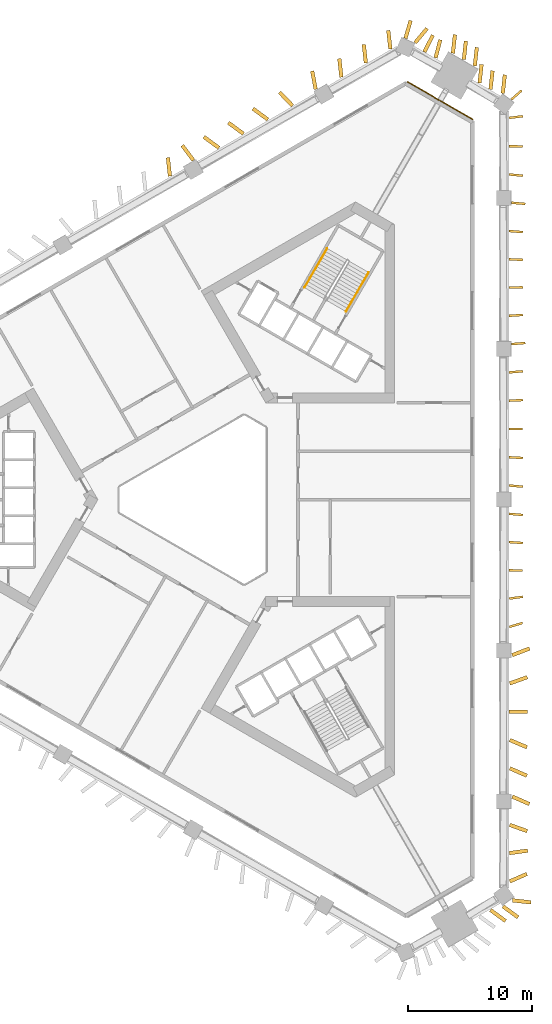
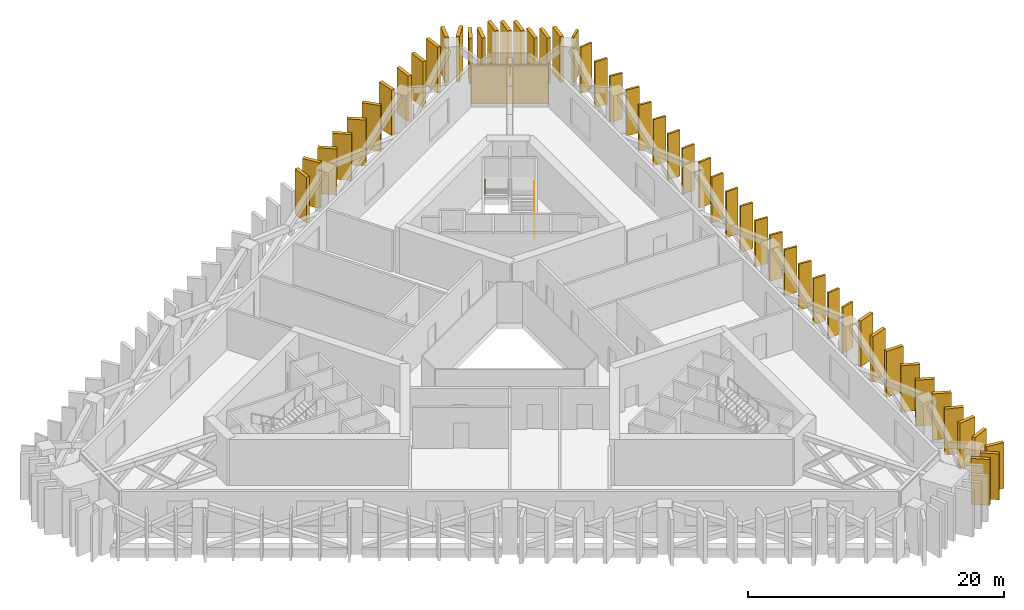
# One storey, part 9 of 9: 52 shading devices, 2 coverings, 2 railings.
"""IFC4 building model written with IfcOpenShell, lengths in metres."""

import ifcopenshell
import ifcopenshell.guid

model = None  # the IFC model being written
_history = None  # IfcOwnerHistory: only IFC2X3 demands one
_inside = {}  # id of a spatial element -> (the spatial element, [elements in it])
_under = {}  # id of a project, library or spatial element -> (it, [spatial elements below it])
_declared = {}  # id of a project -> (the project, [libraries it declares])
_typed = {}  # id of a type object -> (the type object, [elements of that type])
_made_of = {}  # id of a material, layer set ... -> (it, [elements and type objects made of it])


def new_model(schema):
    """Start an empty IFC model of exactly this schema.

    Asked for "IFC4X3", IfcOpenShell would pick the latest addendum, in which some entities
    have other attributes; the version numbers below select the first issue.
    IFC2X3 requires an IfcOwnerHistory on every rooted entity: one is made here for all.
    """
    global model, _history
    if schema == "IFC4X3":
        model = ifcopenshell.file(schema_version=(4, 3, 0, 0))
    else:
        model = ifcopenshell.file(schema=schema)
    _inside.clear()
    _under.clear()
    _declared.clear()
    _typed.clear()
    _made_of.clear()
    _history = None
    if model.schema == "IFC2X3":
        org = make("IfcOrganization", Name="unknown")
        user = make(
            "IfcPersonAndOrganization",
            ThePerson=make("IfcPerson", FamilyName="unknown"),
            TheOrganization=org,
        )
        app = make(
            "IfcApplication",
            ApplicationDeveloper=org,
            Version="unknown",
            ApplicationFullName="unknown",
            ApplicationIdentifier="unknown",
        )
        _history = make(
            "IfcOwnerHistory",
            OwningUser=user,
            OwningApplication=app,
            ChangeAction="ADDED",
            CreationDate=0,
        )
    return model


def make(cls, **values):
    """One entity of the class cls with the attributes given. An attribute that is None is left unset."""
    return model.create_entity(
        cls, **{name: value for name, value in values.items() if value is not None}
    )


def rooted(cls, **values):
    """An entity with a GlobalId (a new one), such as an element, a storey or a relation."""
    return make(cls, GlobalId=ifcopenshell.guid.new(), OwnerHistory=_history, **values)


def si_unit(unit_type, name, prefix=None):
    """IfcSIUnit, for example si_unit("LENGTHUNIT", "METRE", prefix="MILLI")."""
    return make("IfcSIUnit", UnitType=unit_type, Prefix=prefix, Name=name)


def assignment(units):
    """IfcUnitAssignment: the units of a project."""
    return None if units is None else make("IfcUnitAssignment", Units=units)


def point(xyz):
    """IfcCartesianPoint."""
    return None if xyz is None else make("IfcCartesianPoint", Coordinates=xyz)


def direction(xyz):
    """IfcDirection."""
    return None if xyz is None else make("IfcDirection", DirectionRatios=xyz)


def frame(location, z_axis=None, x_axis=None):
    """IfcAxis2Placement3D, a coordinate frame: its origin and axes. An axis left out is left unset."""
    return make(
        "IfcAxis2Placement3D",
        Location=point(location),
        Axis=direction(z_axis),
        RefDirection=direction(x_axis),
    )


def frame_2d(location, x_axis=None):
    """IfcAxis2Placement2D, a coordinate frame in the plane: its origin and x axis."""
    return make(
        "IfcAxis2Placement2D", Location=point(location), RefDirection=direction(x_axis)
    )


def origin():
    """The frame at (0, 0, 0) with its axes left unset."""
    return frame((0.0, 0.0, 0.0))


def origin_2d():
    """The frame at (0, 0) in the plane with its x axis left unset."""
    return frame_2d((0.0, 0.0))


def place(relative_to, where):
    """IfcLocalPlacement: puts the frame where relative to a parent placement (None: the world)."""
    return make(
        "IfcLocalPlacement", PlacementRelTo=relative_to, RelativePlacement=where
    )


def context(
    kind, dimensions, precision=None, world=None, true_north=None, identifier=None
):
    """IfcGeometricRepresentationContext, for example the 3D "Model" context."""
    return make(
        "IfcGeometricRepresentationContext",
        ContextIdentifier=identifier,
        ContextType=kind,
        CoordinateSpaceDimension=dimensions,
        Precision=precision,
        WorldCoordinateSystem=world,
        TrueNorth=true_north,
    )


def subcontext(parent, identifier, kind, view, scale=None):
    """IfcGeometricRepresentationSubContext, for example "Body" below "Model"."""
    return make(
        "IfcGeometricRepresentationSubContext",
        ContextIdentifier=identifier,
        ContextType=kind,
        ParentContext=parent,
        TargetScale=scale,
        TargetView=view,
    )


def project(units=None, contexts=None):
    """IfcProject with its units and contexts."""
    return rooted(
        "IfcProject",
        Name="project",
        RepresentationContexts=contexts,
        UnitsInContext=assignment(units),
    )


def spatial(cls, under=None, at=None, **own):
    """A site, building, storey or space (cls), placed at a placement, below another one or the project."""
    s = rooted(cls, ObjectPlacement=at, **own)
    if under is not None:
        _under.setdefault(under.id(), (under, []))[1].append(s)
    return s


def profile(cls, at=None, kind="AREA", **sizes):
    """A parametric profile (cls). Its sizes go by their IFC names, for example OverallWidth=200.0."""
    return make(cls, ProfileType=kind, Position=at, **sizes)


def rectangle(**sizes):
    """IfcRectangleProfileDef."""
    return profile("IfcRectangleProfileDef", **sizes)


def circle(**sizes):
    """IfcCircleProfileDef."""
    return profile("IfcCircleProfileDef", **sizes)


def extrude(swept, where, along, depth):
    """IfcExtrudedAreaSolid: the profile swept, set in the frame where, extruded along a direction by depth."""
    return make(
        "IfcExtrudedAreaSolid",
        SweptArea=swept,
        Position=where,
        ExtrudedDirection=direction(along),
        Depth=depth,
    )


def shape(context_of_items, identifier, shape_type, items):
    """IfcShapeRepresentation: the items that make up one representation, for example the "Body"."""
    return make(
        "IfcShapeRepresentation",
        ContextOfItems=context_of_items,
        RepresentationIdentifier=identifier,
        RepresentationType=shape_type,
        Items=items,
    )


def material(Name=None, Category=None):
    """IfcMaterial."""
    return make("IfcMaterial", Name=Name, Category=Category)


def layer(
    of_material, thickness, ventilated=None, Name=None, Category=None, Priority=None
):
    """IfcMaterialLayer: one layer of a wall or slab, of a material (None: an air gap)."""
    return make(
        "IfcMaterialLayer",
        Material=of_material,
        LayerThickness=thickness,
        IsVentilated=ventilated,
        Name=Name,
        Category=Category,
        Priority=Priority,
    )


def layer_set(layers, Name=None):
    """IfcMaterialLayerSet."""
    return make("IfcMaterialLayerSet", MaterialLayers=layers, LayerSetName=Name)


def made_of(thing, what):
    """Note that an element or type object is made of a material, layer set ...; save() writes the relation."""
    if what is not None:
        _made_of.setdefault(what.id(), (what, []))[1].append(thing)
    return thing


def type_object(cls, material=None, **own):
    """A type object (cls), such as IfcWallType, which elements share."""
    return made_of(rooted(cls, **own), material)


def element(
    cls,
    number,
    at=None,
    inside=None,
    cuts=None,
    type_object=None,
    material=None,
    context=None,
    identifier="Body",
    shape_type=None,
    held_by="IfcProductDefinitionShape",
    body=None,
    shapes=None,
    **own,
):
    """One element of the class cls, such as IfcWall. Its Tag is "e" and its number.

    at: its placement. inside: the storey or other place that contains it. cuts: it is an
    opening in that element (IfcRelVoidsElement). A single representation is given by context,
    identifier, shape_type and body (its items); several are given by shapes. held_by: the class
    of the entity that holds the representations. save() writes the other relations.
    """
    e = rooted(cls, Tag="e%d" % number, ObjectPlacement=at, **own)
    if body is not None:
        shapes = [shape(context, identifier, shape_type, body)]
    if shapes is not None:
        e.Representation = make(held_by, Representations=shapes)
    if inside is not None:
        _inside.setdefault(inside.id(), (inside, []))[1].append(e)
    if cuts is not None:
        rooted(
            "IfcRelVoidsElement", RelatingBuildingElement=cuts, RelatedOpeningElement=e
        )
    if type_object is not None:
        _typed.setdefault(type_object.id(), (type_object, []))[1].append(e)
    return made_of(e, material)


def aggregate(whole, parts):
    """IfcRelAggregates: a whole, such as a stair, and the parts it consists of."""
    return rooted("IfcRelAggregates", RelatingObject=whole, RelatedObjects=parts)


def save(model, path):
    """Write the relations noted so far, then the file.

    IfcRelAggregates (storeys below a building ...), IfcRelContainedInSpatialStructure (elements
    in a storey), IfcRelDefinesByType, IfcRelAssociatesMaterial and IfcRelDeclares: one each for
    every whole, place, type object, material and project.
    """
    for whole, parts in _under.values():
        aggregate(whole, parts)
    for where, things in _inside.values():
        rooted(
            "IfcRelContainedInSpatialStructure",
            RelatedElements=things,
            RelatingStructure=where,
        )
    for kind, things in _typed.values():
        rooted("IfcRelDefinesByType", RelatedObjects=things, RelatingType=kind)
    for what, things in _made_of.values():
        rooted("IfcRelAssociatesMaterial", RelatedObjects=things, RelatingMaterial=what)
    for by, libraries in _declared.values():
        rooted("IfcRelDeclares", RelatingContext=by, RelatedDefinitions=libraries)
    model.write(path)


model = new_model("IFC4")

# Units and contexts
model_context = context("Model", 3, precision=1e-05, world=origin(), true_north=direction((0.0, 1.0)))
body_context = subcontext(model_context, "Body", "Model", "MODEL_VIEW")
ifc_project = project(units=[si_unit("LENGTHUNIT", "METRE"), si_unit("AREAUNIT", "SQUARE_METRE"), si_unit("VOLUMEUNIT", "CUBIC_METRE"), si_unit("PLANEANGLEUNIT", "RADIAN"), si_unit("MASSUNIT", "GRAM", prefix="KILO")], contexts=[model_context])

# Site, building, storey
site_placement = place(None, origin())
site = spatial("IfcSite", under=ifc_project, at=site_placement, CompositionType="ELEMENT")
building_placement = place(site_placement, origin())
building = spatial("IfcBuilding", under=site, at=building_placement, Name="Jabali Bay Hotel Tower and Convention Centre", CompositionType="ELEMENT")
storey_placement = place(building_placement, frame((0.0, 0.0, 48.5)))
storey = spatial("IfcBuildingStorey", under=building, at=storey_placement, Name="L10", CompositionType="ELEMENT", Elevation=48.5)

# Shading devices
ifc_material_1 = material(Name="Precast concrete C60", Category="concrete")
ifc_layer_1 = layer(ifc_material_1, 0.179931640625)
ifc_layer_set_1 = layer_set([ifc_layer_1], Name="Precast concrete C60")
shading_device_type_1 = type_object("IfcShadingDeviceType", Name="Precast fin 4380 x 1100", PredefinedType="USERDEFINED", material=ifc_layer_set_1)
shading_device_1_placement = place(storey_placement, frame((99.102294921875, 69.76318359375, 0.010009765625), z_axis=(0.0, 0.0, 1.0), x_axis=(0.957673438575, 0.287856882927, 0.0)))
element("IfcShadingDevice", 1, at=shading_device_1_placement, inside=storey, type_object=shading_device_type_1, Name="Fin L10 009", ObjectType="FIN", PredefinedType="USERDEFINED", context=body_context, shape_type="SweptSolid", body=[
    extrude(rectangle(XDim=1.10009765625, YDim=0.179931640625, at=frame_2d((0.550048828125, 0.0))), origin(), (0.0, 0.0, 1.0), 4.3798828125),
])
shading_device_2_placement = place(storey_placement, frame((99.088623046875, 72.0380859375, 0.010009765625), z_axis=(0.0, 0.0, 1.0), x_axis=(0.990792311908, 0.135390526493, 0.0)))
element("IfcShadingDevice", 2, at=shading_device_2_placement, inside=storey, type_object=shading_device_type_1, Name="Fin L10 010", ObjectType="FIN", PredefinedType="USERDEFINED", context=body_context, shape_type="SweptSolid", body=[
    extrude(rectangle(XDim=1.099853515625, YDim=0.179931640625, at=frame_2d((0.5498046875, 0.0))), origin(), (0.0, 0.0, 1.0), 4.3798828125),
])
shading_device_3_placement = place(storey_placement, frame((99.076904296875, 74.31298828125, 0.010009765625), z_axis=(0.0, 0.0, 1.0), x_axis=(0.999983353479, -0.00576998828, 0.0)))
element("IfcShadingDevice", 3, at=shading_device_3_placement, inside=storey, type_object=shading_device_type_1, Name="Fin L10 011", ObjectType="FIN", PredefinedType="USERDEFINED", context=body_context, shape_type="SweptSolid", body=[
    extrude(rectangle(XDim=1.10009765625, YDim=0.179931640625, at=frame_2d((0.550048828125, 0.0))), origin(), (0.0, 0.0, 1.0), 4.3798828125),
])
shading_device_4_placement = place(storey_placement, frame((99.0830078125, 76.587646484375, 0.010009765625), z_axis=(0.0, 0.0, 1.0), x_axis=(0.997474448975, -0.071026217996, 0.0)))
element("IfcShadingDevice", 4, at=shading_device_4_placement, inside=storey, type_object=shading_device_type_1, Name="Fin L10 012", ObjectType="FIN", PredefinedType="USERDEFINED", context=body_context, shape_type="SweptSolid", body=[
    extrude(rectangle(XDim=1.099853515625, YDim=0.179931640625, at=frame_2d((0.5498046875, 0.0))), origin(), (0.0, 0.0, 1.0), 4.3798828125),
])
for number, where, z_axis, x_axis, name in (
    (5, (99.08447265625, 78.862548828125, 0.010009765625), (0.0, 0.0, 1.0), (0.995992645873, -0.089435168513, 0.0), "Fin L10 013"),
    (6, (99.084228515625, 81.137451171875, 0.010009765625), (0.0, 0.0, 1.0), (0.996323410279, -0.085671828106, 0.0), "Fin L10 014"),
    (7, (99.08154296875, 83.412353515625, 0.010009765625), (0.0, 0.0, 1.0), (0.998385028374, -0.056809639312, 0.0), "Fin L10 015"),
):
    element("IfcShadingDevice", number, at=place(storey_placement, frame(where, z_axis=z_axis, x_axis=x_axis)), inside=storey, type_object=shading_device_type_1, Name=name, ObjectType="FIN", PredefinedType="USERDEFINED", context=body_context, shape_type="SweptSolid", body=[
        extrude(rectangle(XDim=1.10009765625, YDim=0.179931640625, at=frame_2d((0.550048828125, 0.0))), origin(), (0.0, 0.0, 1.0), 4.3798828125),
    ])
shading_device_5_placement = place(storey_placement, frame((99.0771484375, 85.68701171875, 0.010009765625), z_axis=(0.0, 0.0, 1.0), x_axis=(0.999980685481, -0.006215196269, 0.0)))
element("IfcShadingDevice", 8, at=shading_device_5_placement, inside=storey, type_object=shading_device_type_1, Name="Fin L10 016", ObjectType="FIN", PredefinedType="USERDEFINED", context=body_context, shape_type="SweptSolid", body=[
    extrude(rectangle(XDim=1.099853515625, YDim=0.179931640625, at=frame_2d((0.5498046875, 0.0))), origin(), (0.0, 0.0, 1.0), 4.3798828125),
])
shading_device_6_placement = place(storey_placement, frame((99.08056640625, 87.9619140625, 0.010009765625), z_axis=(0.0, 0.0, 1.0), x_axis=(0.998964417576, 0.045498268297, 0.0)))
element("IfcShadingDevice", 9, at=shading_device_6_placement, inside=storey, type_object=shading_device_type_1, Name="Fin L10 017", ObjectType="FIN", PredefinedType="USERDEFINED", context=body_context, shape_type="SweptSolid", body=[
    extrude(rectangle(XDim=1.10009765625, YDim=0.179931640625, at=frame_2d((0.550048828125, 0.0))), origin(), (0.0, 0.0, 1.0), 4.3798828125),
])
shading_device_7_placement = place(storey_placement, frame((99.083984375, 90.23681640625, 0.010009765625), z_axis=(0.0, 0.0, 1.0), x_axis=(0.996585442931, 0.082567880795, 0.0)))
element("IfcShadingDevice", 10, at=shading_device_7_placement, inside=storey, type_object=shading_device_type_1, Name="Fin L10 018", ObjectType="FIN", PredefinedType="USERDEFINED", context=body_context, shape_type="SweptSolid", body=[
    extrude(rectangle(XDim=1.099853515625, YDim=0.179931640625, at=frame_2d((0.5498046875, 0.0))), origin(), (0.0, 0.0, 1.0), 4.3798828125),
])
for number, where, z_axis, x_axis, name in (
    (11, (99.28369140625, 92.511474609375, 0.010009765625), (0.0, 0.0, 1.0), (0.996530434806, 0.083229156582, 0.0), "Fin L10 019"),
    (12, (99.082763671875, 94.786376953125, 0.010009765625), (0.0, 0.0, 1.0), (0.997630328423, 0.068802091615, 0.0), "Fin L10 020"),
    (13, (99.078125, 97.061279296875, 0.010009765625), (0.0, 0.0, 1.0), (0.999838398582, 0.0179771166, 0.0), "Fin L10 021"),
    (14, (99.08056640625, 99.336181640625, 0.010009765625), (0.0, 0.0, 1.0), (0.99899446016, -0.044833788259, 0.0), "Fin L10 022"),
):
    element("IfcShadingDevice", number, at=place(storey_placement, frame(where, z_axis=z_axis, x_axis=x_axis)), inside=storey, type_object=shading_device_type_1, Name=name, ObjectType="FIN", PredefinedType="USERDEFINED", context=body_context, shape_type="SweptSolid", body=[
        extrude(rectangle(XDim=1.10009765625, YDim=0.179931640625, at=frame_2d((0.550048828125, 0.0))), origin(), (0.0, 0.0, 1.0), 4.3798828125),
    ])
for number, where, z_axis, x_axis, name in (
    (15, (99.084228515625, 101.61083984375, 0.010009765625), (0.0, 0.0, 1.0), (0.996398805237, -0.084790453019, 0.0), "Fin L10 023"),
    (16, (99.284423828125, 103.8857421875, 0.010009765625), (0.0, 0.0, 1.0), (0.996168619919, -0.087453305759, 0.0), "Fin L10 024"),
):
    element("IfcShadingDevice", number, at=place(storey_placement, frame(where, z_axis=z_axis, x_axis=x_axis)), inside=storey, type_object=shading_device_type_1, Name=name, ObjectType="FIN", PredefinedType="USERDEFINED", context=body_context, shape_type="SweptSolid", body=[
        extrude(rectangle(XDim=1.099853515625, YDim=0.179931640625, at=frame_2d((0.5498046875, 0.0))), origin(), (0.0, 0.0, 1.0), 4.3798828125),
    ])
shading_device_8_placement = place(storey_placement, frame((99.0849609375, 106.16064453125, 0.010009765625), z_axis=(0.0, 0.0, 1.0), x_axis=(0.995542228819, -0.094316862962, 0.0)))
element("IfcShadingDevice", 17, at=shading_device_8_placement, inside=storey, type_object=shading_device_type_1, Name="Fin L10 025", ObjectType="FIN", PredefinedType="USERDEFINED", context=body_context, shape_type="SweptSolid", body=[
    extrude(rectangle(XDim=1.10009765625, YDim=0.179931640625, at=frame_2d((0.550048828125, 0.0))), origin(), (0.0, 0.0, 1.0), 4.3798828125),
])
for number, where, z_axis, x_axis, name in (
    (18, (99.07861328125, 108.435302734375, 0.010009765625), (0.0, 0.0, 1.0), (0.999717929925, -0.023749959703, 0.0), "Fin L10 026"),
    (19, (99.08740234375, 110.710205078125, 0.010009765625), (0.0, 0.0, 1.0), (0.992575455506, 0.121630444905, 0.0), "Fin L10 027"),
):
    element("IfcShadingDevice", number, at=place(storey_placement, frame(where, z_axis=z_axis, x_axis=x_axis)), inside=storey, type_object=shading_device_type_1, Name=name, ObjectType="FIN", PredefinedType="USERDEFINED", context=body_context, shape_type="SweptSolid", body=[
        extrude(rectangle(XDim=1.099853515625, YDim=0.179931640625, at=frame_2d((0.5498046875, 0.0))), origin(), (0.0, 0.0, 1.0), 4.3798828125),
    ])
shading_device_9_placement = place(storey_placement, frame((99.259765625, 112.184326171875, 0.010009765625), z_axis=(0.0, 0.0, 1.0), x_axis=(0.749267615874, 0.66226734768, 0.0)))
element("IfcShadingDevice", 20, at=shading_device_9_placement, inside=storey, type_object=shading_device_type_1, Name="Fin L10 112", ObjectType="FIN", PredefinedType="USERDEFINED", context=body_context, shape_type="SweptSolid", body=[
    extrude(rectangle(XDim=1.10009765625, YDim=0.179931640625, at=frame_2d((0.550048828125, 0.0))), origin(), (0.0, 0.0, 1.0), 4.3798828125),
])
ifc_layer_2 = layer(ifc_material_1, 0.300048828125)
ifc_layer_set_2 = layer_set([ifc_layer_2], Name="Precast concrete C60")
shading_device_type_2 = type_object("IfcShadingDeviceType", Name="Precast fin 4380 x 1500", PredefinedType="USERDEFINED", material=ifc_layer_set_2)
for number, where, z_axis, x_axis, name in (
    (21, (99.13671875, 49.289794921875, 0.010009765625), (0.0, 0.0, 1.0), (0.915760895771, 0.401723763022, 0.0), "Fin L10 000"),
    (22, (99.096923828125, 51.564697265625, 0.010009765625), (0.0, 0.0, 1.0), (0.990656039561, 0.136384058017, 0.0), "Fin L10 001"),
    (23, (99.127197265625, 53.83935546875, 0.010009765625), (0.0, 0.0, 1.0), (0.94119201666, -0.337872147084, 0.0), "Fin L10 002"),
    (24, (99.336669921875, 56.1142578125, 0.010009765625), (0.0, 0.0, 1.0), (0.915787158528, -0.401663889683, 0.0), "Fin L10 003"),
    (25, (99.13671875, 58.38916015625, 0.010009765625), (0.0, 0.0, 1.0), (0.915847017542, -0.401527384446, 0.0), "Fin L10 004"),
    (26, (99.134765625, 60.663818359375, 0.010009765625), (0.0, 0.0, 1.0), (0.921294921455, -0.388864587872, 0.0), "Fin L10 005"),
    (27, (99.077392578125, 62.938720703125, 0.010009765625), (0.0, 0.0, 1.0), (0.999982834304, -0.00585927442, 0.0), "Fin L10 006"),
    (28, (99.126953125, 65.213623046875, 0.010009765625), (0.0, 0.0, 1.0), (0.941660878407, 0.336563203689, 0.0), "Fin L10 007"),
    (29, (99.330078125, 67.488525390625, 0.010009765625), (0.0, 0.0, 1.0), (0.93338754644, 0.358870015676, 0.0), "Fin L10 008"),
    (30, (98.572021484375, 112.6845703125, 0.010009765625), (0.0, 0.0, 1.0), (0.110020665906, 0.993929299837, 0.0), "Fin L10 028"),
):
    element("IfcShadingDevice", number, at=place(storey_placement, frame(where, z_axis=z_axis, x_axis=x_axis)), inside=storey, type_object=shading_device_type_2, Name=name, ObjectType="FIN", PredefinedType="USERDEFINED", context=body_context, shape_type="SweptSolid", body=[
        extrude(rectangle(XDim=1.5, YDim=0.300048828125, at=frame_2d((0.75, 0.0))), origin(), (0.0, 0.0, 1.0), 4.3798828125),
    ])
shading_device_10_placement = place(storey_placement, frame((97.584228515625, 113.009765625, 0.010009765625), z_axis=(0.0, 0.0, 1.0), x_axis=(0.1100384662, 0.993927329314, 0.0)))
element("IfcShadingDevice", 31, at=shading_device_10_placement, inside=storey, type_object=shading_device_type_2, Name="Fin L10 029", ObjectType="FIN", PredefinedType="USERDEFINED", context=body_context, shape_type="SweptSolid", body=[
    extrude(rectangle(XDim=1.499755859375, YDim=0.300048828125, at=frame_2d((0.75, 0.0))), origin(), (0.0, 0.0, 1.0), 4.3798828125),
])
for number, where, z_axis, x_axis, name in (
    (32, (96.702880859375, 113.5185546875, 0.010009765625), (0.0, 0.0, 1.0), (0.10985987917, 0.993947084582, 0.0), "Fin L10 030"),
    (33, (96.32080078125, 114.892822265625, 0.010009765625), (0.0, 0.0, 1.0), (0.10985987917, 0.993947084582, 0.0), "Fin L10 031"),
    (34, (95.439208984375, 115.40185546875, 0.010009765625), (0.0, 0.0, 1.0), (0.110020665906, 0.993929299837, 0.0), "Fin L10 032"),
):
    element("IfcShadingDevice", number, at=place(storey_placement, frame(where, z_axis=z_axis, x_axis=x_axis)), inside=storey, type_object=shading_device_type_2, Name=name, ObjectType="FIN", PredefinedType="USERDEFINED", context=body_context, shape_type="SweptSolid", body=[
        extrude(rectangle(XDim=1.5, YDim=0.300048828125, at=frame_2d((0.75, 0.0))), origin(), (0.0, 0.0, 1.0), 4.3798828125),
    ])
shading_device_11_placement = place(storey_placement, frame((94.5576171875, 115.910888671875, 0.010009765625), z_axis=(0.0, 0.0, 1.0), x_axis=(0.1100384662, 0.993927329314, 0.0)))
element("IfcShadingDevice", 35, at=shading_device_11_placement, inside=storey, type_object=shading_device_type_2, Name="Fin L10 033", ObjectType="FIN", PredefinedType="USERDEFINED", context=body_context, shape_type="SweptSolid", body=[
    extrude(rectangle(XDim=1.499755859375, YDim=0.300048828125, at=frame_2d((0.75, 0.0))), origin(), (0.0, 0.0, 1.0), 4.3798828125),
])
for number, where, z_axis, x_axis, name in (
    (36, (93.166259765625, 115.53662109375, 0.010009765625), (0.0, 0.0, 1.0), (0.252594153095, 0.967572319686, 0.0), "Fin L10 034"),
    (37, (92.26904296875, 116.018310546875, 0.010009765625), (0.0, 0.0, 1.0), (0.452479322372, 0.891774894705, 0.0), "Fin L10 035"),
    (38, (91.517333984375, 116.752197265625, 0.010009765625), (0.0, 0.0, 1.0), (0.641224327915, 0.767353478711, 0.0), "Fin L10 036"),
):
    element("IfcShadingDevice", number, at=place(storey_placement, frame(where, z_axis=z_axis, x_axis=x_axis)), inside=storey, type_object=shading_device_type_2, Name=name, ObjectType="FIN", PredefinedType="USERDEFINED", context=body_context, shape_type="SweptSolid", body=[
        extrude(rectangle(XDim=1.5, YDim=0.300048828125, at=frame_2d((0.75, 0.0))), origin(), (0.0, 0.0, 1.0), 4.3798828125),
    ])
shading_device_12_placement = place(storey_placement, frame((89.527587890625, 116.258056640625, 0.010009765625), z_axis=(0.0, 0.0, 1.0), x_axis=(-0.111664169735, 0.993746000343, 0.0)))
element("IfcShadingDevice", 39, at=shading_device_12_placement, inside=storey, type_object=shading_device_type_2, Name="Fin L10 037", ObjectType="FIN", PredefinedType="USERDEFINED", context=body_context, shape_type="SweptSolid", body=[
    extrude(rectangle(XDim=1.499755859375, YDim=0.300048828125, at=frame_2d((0.75, 0.0))), origin(), (0.0, 0.0, 1.0), 4.3798828125),
])
shading_device_13_placement = place(storey_placement, frame((87.557373046875, 115.12060546875, 0.010009765625), z_axis=(0.0, 0.0, 1.0), x_axis=(-0.110342213455, 0.993893654236, 0.0)))
element("IfcShadingDevice", 40, at=shading_device_13_placement, inside=storey, type_object=shading_device_type_2, Name="Fin L10 038", ObjectType="FIN", PredefinedType="USERDEFINED", context=body_context, shape_type="SweptSolid", body=[
    extrude(rectangle(XDim=1.500244140625, YDim=0.300048828125, at=frame_2d((0.75, 0.0))), origin(), (0.0, 0.0, 1.0), 4.3798828125),
])
shading_device_14_placement = place(storey_placement, frame((85.58740234375, 113.9833984375, 0.010009765625), z_axis=(0.0, 0.0, 1.0), x_axis=(-0.1100384662, 0.993927329314, 0.0)))
element("IfcShadingDevice", 41, at=shading_device_14_placement, inside=storey, type_object=shading_device_type_2, Name="Fin L10 039", ObjectType="FIN", PredefinedType="USERDEFINED", context=body_context, shape_type="SweptSolid", body=[
    extrude(rectangle(XDim=1.499755859375, YDim=0.300048828125, at=frame_2d((0.75, 0.0))), origin(), (0.0, 0.0, 1.0), 4.3798828125),
])
shading_device_15_placement = place(storey_placement, frame((83.52294921875, 113.00927734375, 0.010009765625), z_axis=(0.0, 0.0, 1.0), x_axis=(-0.189444972496, 0.981891339404, 0.0)))
element("IfcShadingDevice", 42, at=shading_device_15_placement, inside=storey, type_object=shading_device_type_2, Name="Fin L10 040", ObjectType="FIN", PredefinedType="USERDEFINED", context=body_context, shape_type="SweptSolid", body=[
    extrude(rectangle(XDim=1.5, YDim=0.300048828125, at=frame_2d((0.75, 0.0))), origin(), (0.0, 0.0, 1.0), 4.3798828125),
])
shading_device_16_placement = place(storey_placement, frame((81.6591796875, 111.687744140625, 0.010009765625), z_axis=(0.0, 0.0, 1.0), x_axis=(-0.695375342036, 0.718646737756, 0.0)))
element("IfcShadingDevice", 43, at=shading_device_16_placement, inside=storey, type_object=shading_device_type_2, Name="Fin L10 041", ObjectType="FIN", PredefinedType="USERDEFINED", context=body_context, shape_type="SweptSolid", body=[
    extrude(rectangle(XDim=1.500244140625, YDim=0.300048828125, at=frame_2d((0.75, 0.0))), origin(), (0.0, 0.0, 1.0), 4.3798828125),
])
for number, where, z_axis, x_axis, name in (
    (44, (79.67724609375, 110.571044921875, 0.010009765625), (0.0, 0.0, 1.0), (-0.805840602837, 0.592132521333, 0.0), "Fin L10 042"),
    (45, (77.70703125, 109.43359375, 0.010009765625), (0.0, 0.0, 1.0), (-0.805762938582, 0.592238201071, 0.0), "Fin L10 043"),
    (46, (75.737060546875, 108.296142578125, 0.010009765625), (0.0, 0.0, 1.0), (-0.805762938582, 0.592238201071, 0.0), "Fin L10 044"),
    (47, (73.68798828125, 107.29541015625, 0.010009765625), (0.0, 0.0, 1.0), (-0.601379268455, 0.798963688457, 0.0), "Fin L10 045"),
):
    element("IfcShadingDevice", number, at=place(storey_placement, frame(where, z_axis=z_axis, x_axis=x_axis)), inside=storey, type_object=shading_device_type_2, Name=name, ObjectType="FIN", PredefinedType="USERDEFINED", context=body_context, shape_type="SweptSolid", body=[
        extrude(rectangle(XDim=1.5, YDim=0.300048828125, at=frame_2d((0.75, 0.0))), origin(), (0.0, 0.0, 1.0), 4.3798828125),
    ])
shading_device_17_placement = place(storey_placement, frame((71.796875, 106.021484375, 0.010009765625), z_axis=(0.0, 0.0, 1.0), x_axis=(-0.109877654086, 0.993945119779, 0.0)))
element("IfcShadingDevice", 48, at=shading_device_17_placement, inside=storey, type_object=shading_device_type_2, Name="Fin L10 046", ObjectType="FIN", PredefinedType="USERDEFINED", context=body_context, shape_type="SweptSolid", body=[
    extrude(rectangle(XDim=1.499755859375, YDim=0.300048828125, at=frame_2d((0.75, 0.0))), origin(), (0.0, 0.0, 1.0), 4.3798828125),
])
for number, where, z_axis, x_axis, name in (
    (49, (97.584228515625, 46.990234375, 0.010009765625), (0.0, 0.0, 1.0), (0.805840602837, -0.592132521333, 0.0), "Fin L10 109"),
    (50, (98.58935546875, 47.285400390625, 0.010009765625), (0.0, 0.0, 1.0), (0.805840602837, -0.592132521333, 0.0), "Fin L10 110"),
    (51, (99.345703125, 47.765869140625, 0.010009765625), (0.0, 0.0, 1.0), (0.993947084582, -0.10985987917, 0.0), "Fin L10 111"),
    (52, (90.74267578125, 117.10205078125, 0.010009765625), (0.0, 0.0, 1.0), (0.277986941605, 0.960584853252, 0.0), "Fin L10 113"),
):
    element("IfcShadingDevice", number, at=place(storey_placement, frame(where, z_axis=z_axis, x_axis=x_axis)), inside=storey, type_object=shading_device_type_2, Name=name, ObjectType="FIN", PredefinedType="USERDEFINED", context=body_context, shape_type="SweptSolid", body=[
        extrude(rectangle(XDim=1.5, YDim=0.300048828125, at=frame_2d((0.75, 0.0))), origin(), (0.0, 0.0, 1.0), 4.3798828125),
    ])

# Coverings
ifc_material_2 = material(Name="Precast concrete C40/50", Category="concrete")
ifc_layer_3 = layer(ifc_material_2, 0.080078125)
ifc_layer_set_3 = layer_set([ifc_layer_3], Name="Precast concrete C40/50")
covering_type = type_object("IfcCoveringType", Name="Relief panel 3000 x 3700", PredefinedType="CLADDING", material=ifc_layer_set_3)
for number, where, z_axis, x_axis, name in (
    (53, (92.19921875, 112.8623046875, 0.10009765625), (0.0, 0.0, 1.0), (0.86602540546, -0.499999997098, 0.0), "Relief panel L10"),
    (54, (94.85986328125, 111.326171875, 0.10009765625), (0.0, 0.0, 1.0), (0.86602540546, -0.499999997098, 0.0), "Relief panel L10"),
):
    element("IfcCovering", number, at=place(storey_placement, frame(where, z_axis=z_axis, x_axis=x_axis)), inside=storey, type_object=covering_type, Name=name, PredefinedType="CLADDING", context=body_context, shape_type="SweptSolid", body=[
        extrude(rectangle(XDim=3.0, YDim=0.080078125, at=origin_2d()), origin(), (0.0, 0.0, 1.0), 3.699951171875),
    ])

# Railings
ifc_material_3 = material(Name="Steel Q355B", Category="steel")
railing_type = type_object("IfcRailingType", Name="Stair handrail 900", PredefinedType="HANDRAIL", material=ifc_material_3)
railing_1_placement = place(storey_placement, frame((85.95703125, 95.128173828125, 0.1572265625)))
element("IfcRailing", 55, at=railing_1_placement, inside=storey, type_object=railing_type, Name="L10 ST2 stair handrail 1", PredefinedType="HANDRAIL", context=body_context, shape_type="SweptSolid", body=[
    extrude(circle(Radius=0.02392578125, at=origin_2d()), frame((0.0, 0.0, 0.8759765625), z_axis=(0.436044357701, 0.755225318126, 0.48938740991), x_axis=(-0.866018046521, 0.500012742938, 0.0)), (0.0, 0.0, 1.0), 4.174072265625),
    extrude(circle(Radius=0.02099609375, at=origin_2d()), origin(), (0.0, 0.0, 1.0), 0.851806640625),
    extrude(circle(Radius=0.02099609375, at=origin_2d()), frame((0.455078125, 0.7880859375, 0.5107421875)), (0.0, 0.0, 1.0), 0.851806640625),
    extrude(circle(Radius=0.02099609375, at=origin_2d()), frame((0.91015625, 1.576171875, 1.021484375)), (0.0, 0.0, 1.0), 0.851806640625),
    extrude(circle(Radius=0.02099609375, at=origin_2d()), frame((1.364990234375, 2.3642578125, 1.531982421875)), (0.0, 0.0, 1.0), 0.851806640625),
    extrude(circle(Radius=0.02099609375, at=origin_2d()), frame((1.820068359375, 3.15234375, 2.042724609375)), (0.0, 0.0, 1.0), 0.851806640625),
])
railing_2_placement = place(storey_placement, frame((84.44287109375, 100.20556640625, 2.357177734375)))
element("IfcRailing", 56, at=railing_2_placement, inside=storey, type_object=railing_type, Name="L10 ST2 stair handrail 2", PredefinedType="HANDRAIL", context=body_context, shape_type="SweptSolid", body=[
    extrude(circle(Radius=0.02392578125, at=origin_2d()), frame((0.0, 0.0, 0.8759765625), z_axis=(-0.436044357701, -0.755225318126, 0.48938740991), x_axis=(0.866018046521, -0.500012742938, 0.0)), (0.0, 0.0, 1.0), 4.174072265625),
    extrude(circle(Radius=0.02099609375, at=origin_2d()), origin(), (0.0, 0.0, 1.0), 0.851806640625),
    extrude(circle(Radius=0.02099609375, at=origin_2d()), frame((-0.455078125, -0.7880859375, 0.5107421875)), (0.0, 0.0, 1.0), 0.851806640625),
    extrude(circle(Radius=0.02099609375, at=origin_2d()), frame((-0.91015625, -1.576171875, 1.021484375)), (0.0, 0.0, 1.0), 0.851806640625),
    extrude(circle(Radius=0.02099609375, at=origin_2d()), frame((-1.364990234375, -2.3642578125, 1.531982421875)), (0.0, 0.0, 1.0), 0.851806640625),
    extrude(circle(Radius=0.02099609375, at=origin_2d()), frame((-1.820068359375, -3.15234375, 2.042724609375)), (0.0, 0.0, 1.0), 0.851806640625),
])

save(model, "model.ifc")
